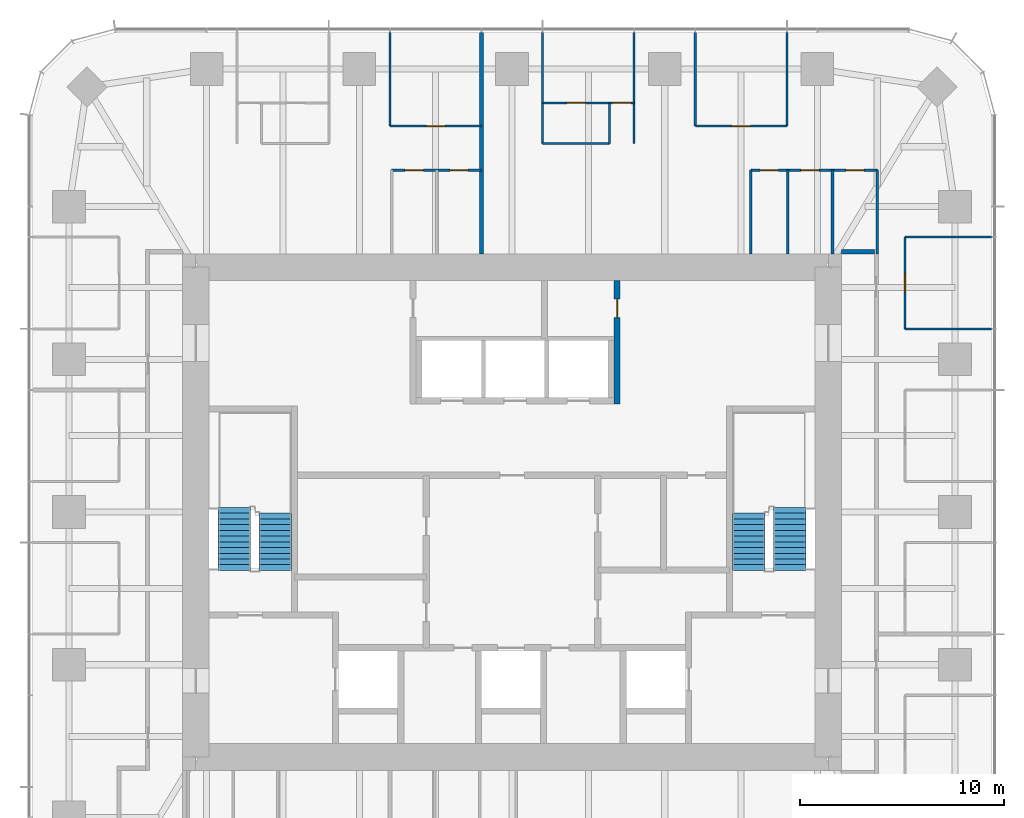
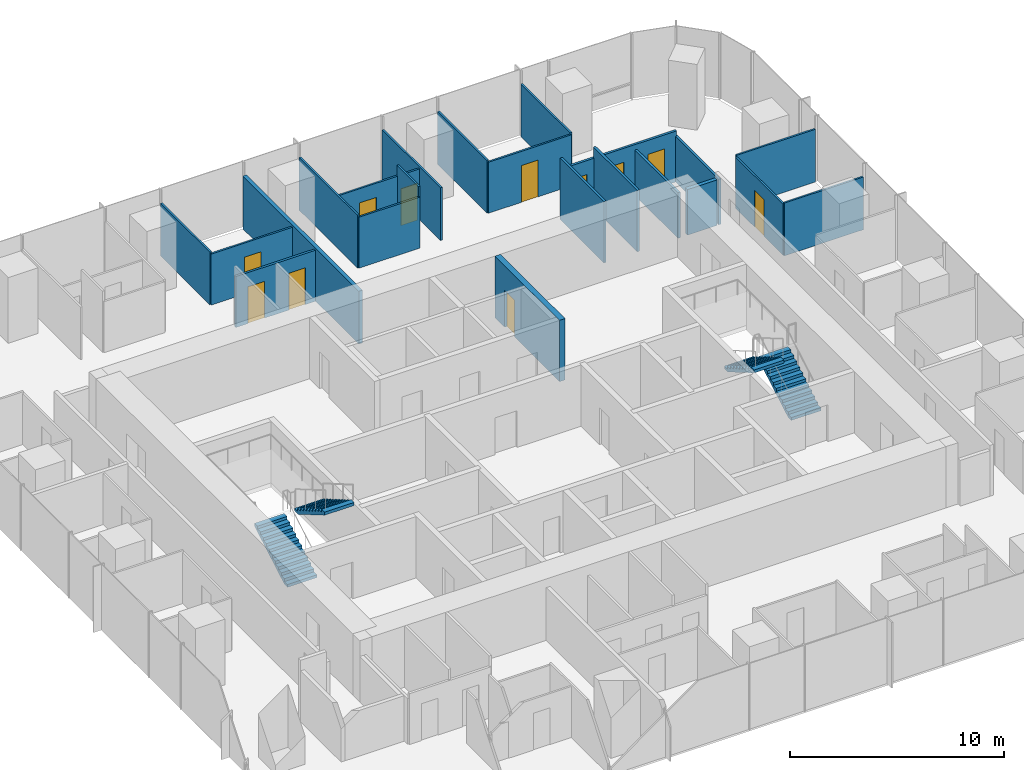
# One storey, part 11 of 12: 22 walls, 11 doors, 4 stair flights, 11 openings, 2 elements without a shape of their own.
"""IFC4 building model written with IfcOpenShell, lengths in metres."""

from ifc_helpers import new_model, si_unit, direction, frame, frame_2d, origin, place, context, subcontext, project, spatial, polyline, rectangle, outline, extrude, material, layer, layer_set, type_object, element, fill, aggregate, save


model = new_model("IFC4")

# Units and contexts
model_context = context("Model", 3, precision=1e-05, world=origin(), true_north=direction((0.0, 1.0)))
body_context = subcontext(model_context, "Body", "Model", "MODEL_VIEW")
ifc_project = project(units=[si_unit("LENGTHUNIT", "METRE"), si_unit("AREAUNIT", "SQUARE_METRE"), si_unit("VOLUMEUNIT", "CUBIC_METRE"), si_unit("PLANEANGLEUNIT", "RADIAN"), si_unit("MASSUNIT", "GRAM", prefix="KILO")], contexts=[model_context])

# Site, building, storey
site_placement = place(None, origin())
site = spatial("IfcSite", under=ifc_project, at=site_placement, CompositionType="ELEMENT")
building_placement = place(site_placement, origin())
building = spatial("IfcBuilding", under=site, at=building_placement, Name="Khuree Lantern Residences", CompositionType="ELEMENT")
storey_placement = place(building_placement, frame((0.0, 0.0, 308.25)))
storey = spatial("IfcBuildingStorey", under=building, at=storey_placement, Name="L77", CompositionType="ELEMENT", Elevation=308.25)

# Wall, openings, doors
ifc_material_1 = material(Name="Moisture-resistant gypsum board on steel studs", Category="steel")
ifc_layer_1 = layer(ifc_material_1, 0.125)
ifc_layer_set_1 = layer_set([ifc_layer_1], Name="BATHROOM WALL BTW125")
wall_type_1 = type_object("IfcWallType", Name="BATHROOM WALL BTW125", PredefinedType="PARTITIONING", material=ifc_layer_set_1)
wall_1_placement = place(storey_placement, frame((17.89990234375, 16.746337890625, 0.0), z_axis=(0.0, 0.0, 1.0), x_axis=(-1.0, 0.0, 0.0)))
wall_1 = element("IfcWall", 1, at=wall_1_placement, inside=storey, type_object=wall_type_1, Name="L77 BATHROOM WALL 01", PredefinedType="PARTITIONING", context=body_context, shape_type="SweptSolid", body=[
    extrude(rectangle(XDim=6.199951171875, YDim=0.125, at=frame_2d((3.10009765625, 0.0))), origin(), (0.0, 0.0, 1.0), 2.89990234375),
])
opening_1_placement = place(wall_1_placement, frame((0.64990234375, 0.0, 0.0)))
opening_1 = element("IfcOpeningElement", 2, at=opening_1_placement, cuts=wall_1, Name="Opening 77-029", PredefinedType="OPENING", context=body_context, shape_type="SweptSolid", body=[
    extrude(rectangle(XDim=0.89990234375, YDim=2.10009765625, at=frame_2d((0.449951171875, 1.050048828125))), frame((0.0, 0.072509765625, 0.0), z_axis=(0.0, -1.0, 0.0), x_axis=(1.0, 0.0, 0.0)), (0.0, 0.0, 1.0), 0.14501953125),
])
opening_2_placement = place(wall_1_placement, frame((2.85009765625, 0.0, 0.0)))
opening_2 = element("IfcOpeningElement", 3, at=opening_2_placement, cuts=wall_1, Name="Opening 77-030", PredefinedType="OPENING", context=body_context, shape_type="SweptSolid", body=[
    extrude(rectangle(XDim=0.89990234375, YDim=2.10009765625, at=frame_2d((0.449951171875, 1.050048828125))), frame((0.0, 0.072509765625, 0.0), z_axis=(0.0, -1.0, 0.0), x_axis=(1.0, 0.0, 0.0)), (0.0, 0.0, 1.0), 0.14501953125),
])
opening_3_placement = place(wall_1_placement, frame((4.85009765625, 0.0, 0.0)))
opening_3 = element("IfcOpeningElement", 4, at=opening_3_placement, cuts=wall_1, Name="Opening 77-031", PredefinedType="OPENING", context=body_context, shape_type="SweptSolid", body=[
    extrude(rectangle(XDim=0.89990234375, YDim=2.10009765625, at=frame_2d((0.449951171875, 1.050048828125))), frame((0.0, 0.072509765625, 0.0), z_axis=(0.0, -1.0, 0.0), x_axis=(1.0, 0.0, 0.0)), (0.0, 0.0, 1.0), 0.14501953125),
])
ifc_material_2 = material(Name="Timber door leaf in hardwood frame", Category="wood")
door_type_1 = type_object("IfcDoorType", Name="BATHROOM DOOR 900X2100", OperationType="SINGLE_SWING_LEFT", PredefinedType="DOOR", material=ifc_material_2)
door_1_placement = place(opening_1_placement, origin())
door_1 = element("IfcDoor", 5, at=door_1_placement, inside=storey, type_object=door_type_1, Name="Bathroom door 77-029", OperationType="SINGLE_SWING_LEFT", OverallHeight=2.10009765625, OverallWidth=0.89990234375, PredefinedType="DOOR", context=body_context, shape_type="SweptSolid", body=[
    extrude(rectangle(XDim=0.89990234375, YDim=2.10009765625, at=frame_2d((0.449951171875, 1.050048828125))), frame((0.0, 0.02490234375, 0.0), z_axis=(0.0, -1.0, 0.0), x_axis=(1.0, 0.0, 0.0)), (0.0, 0.0, 1.0), 0.050048828125),
])
fill(opening_1, door_1)
door_2_placement = place(opening_2_placement, origin())
door_2 = element("IfcDoor", 6, at=door_2_placement, inside=storey, type_object=door_type_1, Name="Bathroom door 77-030", OperationType="SINGLE_SWING_LEFT", OverallHeight=2.10009765625, OverallWidth=0.89990234375, PredefinedType="DOOR", context=body_context, shape_type="SweptSolid", body=[
    extrude(rectangle(XDim=0.89990234375, YDim=2.10009765625, at=frame_2d((0.449951171875, 1.050048828125))), frame((0.0, 0.02490234375, 0.0), z_axis=(0.0, -1.0, 0.0), x_axis=(1.0, 0.0, 0.0)), (0.0, 0.0, 1.0), 0.050048828125),
])
fill(opening_2, door_2)
door_type_2 = type_object("IfcDoorType", Name="DOOR 900X2100", OperationType="SINGLE_SWING_LEFT", PredefinedType="DOOR", material=ifc_material_2)
door_3_placement = place(opening_3_placement, origin())
door_3 = element("IfcDoor", 7, at=door_3_placement, inside=storey, type_object=door_type_2, Name="Store door 77-031", OperationType="SINGLE_SWING_LEFT", OverallHeight=2.10009765625, OverallWidth=0.89990234375, PredefinedType="DOOR", context=body_context, shape_type="SweptSolid", body=[
    extrude(rectangle(XDim=0.89990234375, YDim=2.10009765625, at=frame_2d((0.449951171875, 1.050048828125))), frame((0.0, 0.02490234375, 0.0), z_axis=(0.0, -1.0, 0.0), x_axis=(1.0, 0.0, 0.0)), (0.0, 0.0, 1.0), 0.050048828125),
])
fill(opening_3, door_3)

# Walls
for number, where, z_axis, x_axis, name in (
    (8, (17.89990234375, 12.64990234375, 0.0), (0.0, 0.0, 1.0), (0.0, 1.0, 0.0), "L77 BATHROOM WALL 01"),
    (9, (15.699951171875, 12.64990234375, 0.0), (0.0, 0.0, 1.0), (0.0, 1.0, 0.0), "L77 BATHROOM WALL 01"),
):
    element("IfcWall", number, at=place(storey_placement, frame(where, z_axis=z_axis, x_axis=x_axis)), inside=storey, type_object=wall_type_1, Name=name, PredefinedType="PARTITIONING", context=body_context, shape_type="SweptSolid", body=[
        extrude(rectangle(XDim=4.096435546875, YDim=0.125, at=frame_2d((2.04833984375, 0.0))), origin(), (0.0, 0.0, 1.0), 2.60009765625),
    ])
for number, where, z_axis, x_axis, name in (
    (10, (13.5, 12.64990234375, 0.0), (0.0, 0.0, 1.0), (0.0, 1.0, 0.0), "L77 BATHROOM WALL 01"),
    (11, (11.699951171875, 12.64990234375, 0.0), (0.0, 0.0, 1.0), (0.0, 1.0, 0.0), "L77 BATHROOM WALL 01"),
):
    element("IfcWall", number, at=place(storey_placement, frame(where, z_axis=z_axis, x_axis=x_axis)), inside=storey, type_object=wall_type_1, Name=name, PredefinedType="PARTITIONING", context=body_context, shape_type="SweptSolid", body=[
        extrude(rectangle(XDim=4.096435546875, YDim=0.125, at=frame_2d((2.04833984375, 0.0))), origin(), (0.0, 0.0, 1.0), 3.5),
    ])

# Wall, openings, doors
wall_2_placement = place(storey_placement, frame((-1.49609375, 16.746337890625, 0.0), z_axis=(0.0, 0.0, 1.0), x_axis=(-1.0, 0.0, 0.0)))
wall_2 = element("IfcWall", 12, at=wall_2_placement, inside=storey, type_object=wall_type_1, Name="L77 BATHROOM WALL 02", PredefinedType="PARTITIONING", context=body_context, shape_type="SweptSolid", body=[
    extrude(rectangle(XDim=4.39990234375, YDim=0.125, at=frame_2d((2.199951171875, 0.0))), origin(), (0.0, 0.0, 1.0), 2.909912109375),
])
opening_4_placement = place(wall_2_placement, frame((0.64990234375, 0.0, 0.0)))
opening_4 = element("IfcOpeningElement", 13, at=opening_4_placement, cuts=wall_2, Name="Opening 77-037", PredefinedType="OPENING", context=body_context, shape_type="SweptSolid", body=[
    extrude(rectangle(XDim=0.89990234375, YDim=2.10009765625, at=frame_2d((0.449951171875, 1.050048828125))), frame((0.0, 0.072509765625, 0.0), z_axis=(0.0, -1.0, 0.0), x_axis=(1.0, 0.0, 0.0)), (0.0, 0.0, 1.0), 0.14501953125),
])
opening_5_placement = place(wall_2_placement, frame((2.85009765625, 0.0, 0.0)))
opening_5 = element("IfcOpeningElement", 14, at=opening_5_placement, cuts=wall_2, Name="Opening 77-038", PredefinedType="OPENING", context=body_context, shape_type="SweptSolid", body=[
    extrude(rectangle(XDim=0.89990234375, YDim=2.10009765625, at=frame_2d((0.449951171875, 1.050048828125))), frame((0.0, 0.072509765625, 0.0), z_axis=(0.0, -1.0, 0.0), x_axis=(1.0, 0.0, 0.0)), (0.0, 0.0, 1.0), 0.14501953125),
])
door_4_placement = place(opening_4_placement, origin())
door_4 = element("IfcDoor", 15, at=door_4_placement, inside=storey, type_object=door_type_1, Name="Bathroom door 77-037", OperationType="SINGLE_SWING_LEFT", OverallHeight=2.10009765625, OverallWidth=0.89990234375, PredefinedType="DOOR", context=body_context, shape_type="SweptSolid", body=[
    extrude(rectangle(XDim=0.89990234375, YDim=2.10009765625, at=frame_2d((0.449951171875, 1.050048828125))), frame((0.0, 0.02490234375, 0.0), z_axis=(0.0, -1.0, 0.0), x_axis=(1.0, 0.0, 0.0)), (0.0, 0.0, 1.0), 0.050048828125),
])
fill(opening_4, door_4)
door_5_placement = place(opening_5_placement, origin())
door_5 = element("IfcDoor", 16, at=door_5_placement, inside=storey, type_object=door_type_1, Name="Bathroom door 77-038", OperationType="SINGLE_SWING_LEFT", OverallHeight=2.10009765625, OverallWidth=0.89990234375, PredefinedType="DOOR", context=body_context, shape_type="SweptSolid", body=[
    extrude(rectangle(XDim=0.89990234375, YDim=2.10009765625, at=frame_2d((0.449951171875, 1.050048828125))), frame((0.0, 0.02490234375, 0.0), z_axis=(0.0, -1.0, 0.0), x_axis=(1.0, 0.0, 0.0)), (0.0, 0.0, 1.0), 0.050048828125),
])
fill(opening_5, door_5)

# Wall, opening, door
ifc_material_3 = material(Name="Dense concrete blockwork", Category="masonry")
ifc_layer_2 = layer(ifc_material_3, 0.300048828125)
ifc_layer_set_2 = layer_set([ifc_layer_2], Name="CORE PARTITION WALL CPW300 EI 120")
wall_type_2 = type_object("IfcWallType", Name="CORE PARTITION WALL CPW300 EI 120", PredefinedType="PARTITIONING", material=ifc_layer_set_2)
wall_3_placement = place(storey_placement, frame((5.14990234375, 5.300048828125, 0.0), z_axis=(0.0, 0.0, 1.0), x_axis=(0.0, 1.0, 0.0)))
wall_3 = element("IfcWall", 17, at=wall_3_placement, inside=storey, type_object=wall_type_2, Name="L77 CORE WALL NE", PredefinedType="PARTITIONING", context=body_context, shape_type="SweptSolid", body=[
    extrude(rectangle(XDim=6.050048828125, YDim=0.300048828125, at=frame_2d((3.02490234375, 0.0))), origin(), (0.0, 0.0, 1.0), 3.5),
])
opening_6_placement = place(wall_3_placement, frame((4.22509765625, 0.0, 0.0)))
opening_6 = element("IfcOpeningElement", 18, at=opening_6_placement, cuts=wall_3, Name="Opening 77-022", PredefinedType="OPENING", context=body_context, shape_type="SweptSolid", body=[
    extrude(rectangle(XDim=0.89990234375, YDim=2.10009765625, at=frame_2d((0.449951171875, 1.050048828125))), frame((0.0, 0.16015625, 0.0), z_axis=(0.0, -1.0, 0.0), x_axis=(1.0, 0.0, 0.0)), (0.0, 0.0, 1.0), 0.320068359375),
])
door_6_placement = place(opening_6_placement, origin())
door_6 = element("IfcDoor", 19, at=door_6_placement, inside=storey, type_object=door_type_2, Name="Housekeeping store door 77-022", OperationType="SINGLE_SWING_LEFT", OverallHeight=2.10009765625, OverallWidth=0.89990234375, PredefinedType="DOOR", context=body_context, shape_type="SweptSolid", body=[
    extrude(rectangle(XDim=0.89990234375, YDim=2.10009765625, at=frame_2d((0.449951171875, 1.050048828125))), frame((0.0, 0.02490234375, 0.0), z_axis=(0.0, -1.0, 0.0), x_axis=(1.0, 0.0, 0.0)), (0.0, 0.0, 1.0), 0.050048828125),
])
fill(opening_6, door_6)

# Walls
ifc_material_4 = material(Name="Gypsum board on steel studs", Category="steel")
ifc_layer_3 = layer(ifc_material_4, 0.199951171875)
ifc_layer_set_3 = layer_set([ifc_layer_3], Name="CORRIDOR WALL CRW200 EI 60")
wall_type_3 = type_object("IfcWallType", Name="CORRIDOR WALL CRW200 EI 60", PredefinedType="PARTITIONING", material=ifc_layer_set_3)
wall_4_placement = place(storey_placement, frame((16.14990234375, 12.75, 0.0), z_axis=(0.0, 0.0, 1.0), x_axis=(1.0, 0.0, 0.0)))
element("IfcWall", 20, at=wall_4_placement, inside=storey, type_object=wall_type_3, Name="L77 EAST CORRIDOR NORTH END WALL", PredefinedType="PARTITIONING", context=body_context, shape_type="SweptSolid", body=[
    extrude(rectangle(XDim=1.60009765625, YDim=0.199951171875, at=frame_2d((0.800048828125, 0.0))), origin(), (0.0, 0.0, 1.0), 2.60009765625),
])
ifc_layer_4 = layer(ifc_material_4, 0.199951171875)
ifc_layer_set_4 = layer_set([ifc_layer_4], Name="DEMISING WALL DMW200 EI 90")
wall_type_4 = type_object("IfcWallType", Name="DEMISING WALL DMW200 EI 90", PredefinedType="PARTITIONING", material=ifc_layer_set_4)
wall_5_placement = place(storey_placement, frame((-1.49609375, 12.64990234375, 0.0), z_axis=(0.0, 0.0, 1.0), x_axis=(0.0, 1.0, 0.0)))
element("IfcWall", 21, at=wall_5_placement, inside=storey, type_object=wall_type_4, Name="L77 DEMISING WALL 02", PredefinedType="PARTITIONING", context=body_context, shape_type="SweptSolid", body=[
    extrude(rectangle(XDim=10.85009765625, YDim=0.199951171875, at=frame_2d((5.425048828125, 0.0))), origin(), (0.0, 0.0, 1.0), 3.010009765625),
])
ifc_layer_5 = layer(ifc_material_4, 0.10009765625)
ifc_layer_set_5 = layer_set([ifc_layer_5], Name="PARTITION PT100")
wall_type_5 = type_object("IfcWallType", Name="PARTITION PT100", PredefinedType="PARTITIONING", material=ifc_layer_set_5)
for number, where, z_axis, x_axis, name in (
    (22, (19.25, 8.97607421875, 0.0), (0.0, 0.0, 1.0), (1.0, 0.0, 0.0), "L77 PARTITION 01"),
    (23, (19.25, 13.464111328125, 0.0), (0.0, 0.0, 1.0), (1.0, 0.0, 0.0), "L77 PARTITION 01"),
):
    element("IfcWall", number, at=place(storey_placement, frame(where, z_axis=z_axis, x_axis=x_axis)), inside=storey, type_object=wall_type_5, Name=name, PredefinedType="PARTITIONING", context=body_context, shape_type="SweptSolid", body=[
        extrude(rectangle(XDim=4.25, YDim=0.10009765625, at=frame_2d((2.125, 0.0))), origin(), (0.0, 0.0, 1.0), 3.010009765625),
    ])
for number, where, z_axis, x_axis, name in (
    (24, (13.464111328125, 18.89990234375, 0.0), (0.0, 0.0, 1.0), (0.0, 1.0, 0.0), "L77 PARTITION 01"),
    (25, (8.97607421875, 18.89990234375, 0.0), (0.0, 0.0, 1.0), (0.0, 1.0, 0.0), "L77 PARTITION 01"),
):
    element("IfcWall", number, at=place(storey_placement, frame(where, z_axis=z_axis, x_axis=x_axis)), inside=storey, type_object=wall_type_5, Name=name, PredefinedType="PARTITIONING", context=body_context, shape_type="SweptSolid", body=[
        extrude(rectangle(XDim=4.60009765625, YDim=0.10009765625, at=frame_2d((2.300048828125, 0.0))), origin(), (0.0, 0.0, 1.0), 3.010009765625),
    ])
for number, where, z_axis, x_axis, name in (
    (26, (5.98388671875, 18.04638671875, 0.0), (0.0, 0.0, 1.0), (0.0, 1.0, 0.0), "L77 PARTITION 01"),
    (27, (1.49609375, 18.04638671875, 0.0), (0.0, 0.0, 1.0), (0.0, 1.0, 0.0), "L77 PARTITION 01"),
):
    element("IfcWall", number, at=place(storey_placement, frame(where, z_axis=z_axis, x_axis=x_axis)), inside=storey, type_object=wall_type_5, Name=name, PredefinedType="PARTITIONING", context=body_context, shape_type="SweptSolid", body=[
        extrude(rectangle(XDim=5.45361328125, YDim=0.10009765625, at=frame_2d((2.726806640625, 0.0))), origin(), (0.0, 0.0, 1.0), 3.010009765625),
    ])
wall_6_placement = place(storey_placement, frame((-5.98388671875, 18.89990234375, 0.0), z_axis=(0.0, 0.0, 1.0), x_axis=(0.0, 1.0, 0.0)))
element("IfcWall", 28, at=wall_6_placement, inside=storey, type_object=wall_type_5, Name="L77 PARTITION 02", PredefinedType="PARTITIONING", context=body_context, shape_type="SweptSolid", body=[
    extrude(rectangle(XDim=4.60009765625, YDim=0.10009765625, at=frame_2d((2.300048828125, 0.0))), origin(), (0.0, 0.0, 1.0), 3.010009765625),
])

# Wall, opening, door
wall_7_placement = place(storey_placement, frame((19.25, 8.97607421875, 0.0), z_axis=(0.0, 0.0, 1.0), x_axis=(0.0, 1.0, 0.0)))
wall_7 = element("IfcWall", 29, at=wall_7_placement, inside=storey, type_object=wall_type_5, Name="L77 PARTITION 01", PredefinedType="PARTITIONING", context=body_context, shape_type="SweptSolid", body=[
    extrude(rectangle(XDim=4.488037109375, YDim=0.10009765625, at=frame_2d((2.244140625, 0.0))), origin(), (0.0, 0.0, 1.0), 2.909912109375),
])
opening_7_placement = place(wall_7_placement, frame((1.7939453125, 0.0, 0.0)))
opening_7 = element("IfcOpeningElement", 30, at=opening_7_placement, cuts=wall_7, Name="Opening 77-025", PredefinedType="OPENING", context=body_context, shape_type="SweptSolid", body=[
    extrude(rectangle(XDim=0.89990234375, YDim=2.10009765625, at=frame_2d((0.449951171875, 1.050048828125))), frame((0.0, 0.06005859375, 0.0), z_axis=(0.0, -1.0, 0.0), x_axis=(1.0, 0.0, 0.0)), (0.0, 0.0, 1.0), 0.1201171875),
])
door_type_3 = type_object("IfcDoorType", Name="BEDROOM DOOR 900X2100", OperationType="SINGLE_SWING_LEFT", PredefinedType="DOOR", material=ifc_material_2)
door_7_placement = place(opening_7_placement, origin())
door_7 = element("IfcDoor", 31, at=door_7_placement, inside=storey, type_object=door_type_3, Name="Bedroom door 77-025", OperationType="SINGLE_SWING_LEFT", OverallHeight=2.10009765625, OverallWidth=0.89990234375, PredefinedType="DOOR", context=body_context, shape_type="SweptSolid", body=[
    extrude(rectangle(XDim=0.89990234375, YDim=2.10009765625, at=frame_2d((0.449951171875, 1.050048828125))), frame((0.0, 0.02490234375, 0.0), z_axis=(0.0, -1.0, 0.0), x_axis=(1.0, 0.0, 0.0)), (0.0, 0.0, 1.0), 0.050048828125),
])
fill(opening_7, door_7)

wall_8_placement = place(storey_placement, frame((13.464111328125, 18.89990234375, 0.0), z_axis=(0.0, 0.0, 1.0), x_axis=(-1.0, 0.0, 0.0)))
wall_8 = element("IfcWall", 32, at=wall_8_placement, inside=storey, type_object=wall_type_5, Name="L77 PARTITION 01", PredefinedType="PARTITIONING", context=body_context, shape_type="SweptSolid", body=[
    extrude(rectangle(XDim=4.488037109375, YDim=0.10009765625, at=frame_2d((2.244140625, 0.0))), origin(), (0.0, 0.0, 1.0), 2.909912109375),
])
opening_8_placement = place(wall_8_placement, frame((1.7939453125, 0.0, 0.0)))
opening_8 = element("IfcOpeningElement", 33, at=opening_8_placement, cuts=wall_8, Name="Opening 77-026", PredefinedType="OPENING", context=body_context, shape_type="SweptSolid", body=[
    extrude(rectangle(XDim=0.89990234375, YDim=2.10009765625, at=frame_2d((0.449951171875, 1.050048828125))), frame((0.0, 0.06005859375, 0.0), z_axis=(0.0, -1.0, 0.0), x_axis=(1.0, 0.0, 0.0)), (0.0, 0.0, 1.0), 0.1201171875),
])
door_8_placement = place(opening_8_placement, origin())
door_8 = element("IfcDoor", 34, at=door_8_placement, inside=storey, type_object=door_type_3, Name="Bedroom door 77-026", OperationType="SINGLE_SWING_LEFT", OverallHeight=2.10009765625, OverallWidth=0.89990234375, PredefinedType="DOOR", context=body_context, shape_type="SweptSolid", body=[
    extrude(rectangle(XDim=0.89990234375, YDim=2.10009765625, at=frame_2d((0.449951171875, 1.050048828125))), frame((0.0, 0.02490234375, 0.0), z_axis=(0.0, -1.0, 0.0), x_axis=(1.0, 0.0, 0.0)), (0.0, 0.0, 1.0), 0.050048828125),
])
fill(opening_8, door_8)

# Wall, openings, doors
wall_9_placement = place(storey_placement, frame((5.98388671875, 20.04638671875, 0.0), z_axis=(0.0, 0.0, 1.0), x_axis=(-1.0, 0.0, 0.0)))
wall_9 = element("IfcWall", 35, at=wall_9_placement, inside=storey, type_object=wall_type_5, Name="L77 PARTITION 01", PredefinedType="PARTITIONING", context=body_context, shape_type="SweptSolid", body=[
    extrude(rectangle(XDim=4.48779296875, YDim=0.10009765625, at=frame_2d((2.243896484375, 0.0))), origin(), (0.0, 0.0, 1.0), 2.909912109375),
])
opening_9_placement = place(wall_9_placement, frame((0.14990234375, 0.0, 0.0)))
opening_9 = element("IfcOpeningElement", 36, at=opening_9_placement, cuts=wall_9, Name="Opening 77-027", PredefinedType="OPENING", context=body_context, shape_type="SweptSolid", body=[
    extrude(rectangle(XDim=0.89990234375, YDim=2.10009765625, at=frame_2d((0.449951171875, 1.050048828125))), frame((0.0, 0.06005859375, 0.0), z_axis=(0.0, -1.0, 0.0), x_axis=(1.0, 0.0, 0.0)), (0.0, 0.0, 1.0), 0.1201171875),
])
opening_10_placement = place(wall_9_placement, frame((2.39404296875, 0.0, 0.0)))
opening_10 = element("IfcOpeningElement", 37, at=opening_10_placement, cuts=wall_9, Name="Opening 77-028", PredefinedType="OPENING", context=body_context, shape_type="SweptSolid", body=[
    extrude(rectangle(XDim=0.89990234375, YDim=2.10009765625, at=frame_2d((0.449951171875, 1.050048828125))), frame((0.0, 0.06005859375, 0.0), z_axis=(0.0, -1.0, 0.0), x_axis=(1.0, 0.0, 0.0)), (0.0, 0.0, 1.0), 0.1201171875),
])
door_9_placement = place(opening_9_placement, origin())
door_9 = element("IfcDoor", 38, at=door_9_placement, inside=storey, type_object=door_type_3, Name="Bedroom door 77-027", OperationType="SINGLE_SWING_LEFT", OverallHeight=2.10009765625, OverallWidth=0.89990234375, PredefinedType="DOOR", context=body_context, shape_type="SweptSolid", body=[
    extrude(rectangle(XDim=0.89990234375, YDim=2.10009765625, at=frame_2d((0.449951171875, 1.050048828125))), frame((0.0, 0.02490234375, 0.0), z_axis=(0.0, -1.0, 0.0), x_axis=(1.0, 0.0, 0.0)), (0.0, 0.0, 1.0), 0.050048828125),
])
fill(opening_9, door_9)
door_10_placement = place(opening_10_placement, origin())
door_10 = element("IfcDoor", 39, at=door_10_placement, inside=storey, type_object=door_type_2, Name="Wardrobe door 77-028", OperationType="SINGLE_SWING_LEFT", OverallHeight=2.10009765625, OverallWidth=0.89990234375, PredefinedType="DOOR", context=body_context, shape_type="SweptSolid", body=[
    extrude(rectangle(XDim=0.89990234375, YDim=2.10009765625, at=frame_2d((0.449951171875, 1.050048828125))), frame((0.0, 0.02490234375, 0.0), z_axis=(0.0, -1.0, 0.0), x_axis=(1.0, 0.0, 0.0)), (0.0, 0.0, 1.0), 0.050048828125),
])
fill(opening_10, door_10)

# Walls
wall_10_placement = place(storey_placement, frame((4.783935546875, 18.04638671875, 0.0), z_axis=(0.0, 0.0, 1.0), x_axis=(0.0, 1.0, 0.0)))
element("IfcWall", 40, at=wall_10_placement, inside=storey, type_object=wall_type_5, Name="L77 PARTITION 01", PredefinedType="PARTITIONING", context=body_context, shape_type="SweptSolid", body=[
    extrude(rectangle(XDim=2.0, YDim=0.10009765625, at=frame_2d((1.0, 0.0))), origin(), (0.0, 0.0, 1.0), 3.5),
])
wall_11_placement = place(storey_placement, frame((4.783935546875, 18.04638671875, 0.0), z_axis=(0.0, 0.0, 1.0), x_axis=(-1.0, 0.0, 0.0)))
element("IfcWall", 41, at=wall_11_placement, inside=storey, type_object=wall_type_5, Name="L77 PARTITION 01", PredefinedType="PARTITIONING", context=body_context, shape_type="SweptSolid", body=[
    extrude(rectangle(XDim=3.287841796875, YDim=0.10009765625, at=frame_2d((1.64404296875, 0.0))), origin(), (0.0, 0.0, 1.0), 2.909912109375),
])

# Wall, opening, door
wall_12_placement = place(storey_placement, frame((-1.49609375, 18.89990234375, 0.0), z_axis=(0.0, 0.0, 1.0), x_axis=(-1.0, 0.0, 0.0)))
wall_12 = element("IfcWall", 42, at=wall_12_placement, inside=storey, type_object=wall_type_5, Name="L77 PARTITION 02", PredefinedType="PARTITIONING", context=body_context, shape_type="SweptSolid", body=[
    extrude(rectangle(XDim=4.48779296875, YDim=0.10009765625, at=frame_2d((2.243896484375, 0.0))), origin(), (0.0, 0.0, 1.0), 2.909912109375),
])
opening_11_placement = place(wall_12_placement, frame((1.7939453125, 0.0, 0.0)))
opening_11 = element("IfcOpeningElement", 43, at=opening_11_placement, cuts=wall_12, Name="Opening 77-033", PredefinedType="OPENING", context=body_context, shape_type="SweptSolid", body=[
    extrude(rectangle(XDim=0.89990234375, YDim=2.10009765625, at=frame_2d((0.449951171875, 1.050048828125))), frame((0.0, 0.06005859375, 0.0), z_axis=(0.0, -1.0, 0.0), x_axis=(1.0, 0.0, 0.0)), (0.0, 0.0, 1.0), 0.1201171875),
])
door_11_placement = place(opening_11_placement, origin())
door_11 = element("IfcDoor", 44, at=door_11_placement, inside=storey, type_object=door_type_3, Name="Bedroom door 77-033", OperationType="SINGLE_SWING_LEFT", OverallHeight=2.10009765625, OverallWidth=0.89990234375, PredefinedType="DOOR", context=body_context, shape_type="SweptSolid", body=[
    extrude(rectangle(XDim=0.89990234375, YDim=2.10009765625, at=frame_2d((0.449951171875, 1.050048828125))), frame((0.0, 0.02490234375, 0.0), z_axis=(0.0, -1.0, 0.0), x_axis=(1.0, 0.0, 0.0)), (0.0, 0.0, 1.0), 0.050048828125),
])
fill(opening_11, door_11)

# Stair, stair flights
ifc_material_5 = material(Name="Concrete C40/50", Category="concrete")
stair_type = type_object("IfcStairType", Name="STAIR ST1 HALF TURN 3600", PredefinedType="HALF_TURN_STAIR", material=ifc_material_5)
stair_1_placement = place(storey_placement, origin())
stair_1 = element("IfcStair", 45, at=stair_1_placement, inside=storey, type_object=stair_type, Name="Stair ST1", PredefinedType="HALF_TURN_STAIR")
stair_flight_type = type_object("IfcStairFlightType", Name="STAIR FLIGHT SF1 1600", PredefinedType="STRAIGHT", material=ifc_material_5)
stair_flight_1_placement = place(storey_placement, frame((-13.60009765625, -2.860107421875, 0.0), z_axis=(0.0, 0.0, 1.0), x_axis=(0.0, 1.0, 0.0)))
stair_flight_1 = element("IfcStairFlight", 46, at=stair_flight_1_placement, type_object=stair_flight_type, Name="ST1 flight 1", NumberOfRisers=12, NumberOfTreads=11, PredefinedType="STRAIGHT", RiserHeight=0.163043478, TreadLength=0.28, context=body_context, shape_type="SweptSolid", body=[
    extrude(outline(polyline([(0.0, 0.0), (0.0, 0.1630859375), (0.280029296875, 0.1630859375), (0.280029296875, 0.326171875), (0.56005859375, 0.326171875), (0.56005859375, 0.489013671875), (0.840087890625, 0.489013671875), (0.840087890625, 0.652099609375), (1.1201171875, 0.652099609375), (1.1201171875, 0.815185546875), (1.39990234375, 0.815185546875), (1.39990234375, 0.978271484375), (1.679931640625, 0.978271484375), (1.679931640625, 1.141357421875), (1.9599609375, 1.141357421875), (1.9599609375, 1.304443359375), (2.239990234375, 1.304443359375), (2.239990234375, 1.46728515625), (2.52001953125, 1.46728515625), (2.52001953125, 1.63037109375), (2.800048828125, 1.63037109375), (2.800048828125, 1.79345703125), (3.080078125, 1.79345703125), (3.080078125, 1.95654296875), (3.080078125, 1.6201171875), (0.2978515625, 0.0), (0.0, 0.0)])), frame((0.0, 0.800048828125, 0.0), z_axis=(0.0, -1.0, 0.0), x_axis=(1.0, 0.0, 0.0)), (0.0, 0.0, 1.0), 1.60009765625),
])
stair_flight_2_placement = place(storey_placement, frame((-11.60009765625, -0.06005859375, 1.95654296875), z_axis=(0.0, 0.0, 1.0), x_axis=(0.0, -1.0, 0.0)))
stair_flight_2 = element("IfcStairFlight", 47, at=stair_flight_2_placement, type_object=stair_flight_type, Name="ST1 flight 2", NumberOfRisers=11, NumberOfTreads=10, PredefinedType="STRAIGHT", RiserHeight=0.163043478, TreadLength=0.28, context=body_context, shape_type="SweptSolid", body=[
    extrude(outline(polyline([(0.0, 0.0), (0.0, 0.1630859375), (0.280029296875, 0.1630859375), (0.280029296875, 0.326171875), (0.56005859375, 0.326171875), (0.56005859375, 0.489013671875), (0.840087890625, 0.489013671875), (0.840087890625, 0.652099609375), (1.1201171875, 0.652099609375), (1.1201171875, 0.815185546875), (1.39990234375, 0.815185546875), (1.39990234375, 0.978271484375), (1.679931640625, 0.978271484375), (1.679931640625, 1.141357421875), (1.9599609375, 1.141357421875), (1.9599609375, 1.304443359375), (2.239990234375, 1.304443359375), (2.239990234375, 1.46728515625), (2.52001953125, 1.46728515625), (2.52001953125, 1.63037109375), (2.800048828125, 1.63037109375), (2.800048828125, 1.79345703125), (2.800048828125, 1.45703125), (0.2978515625, 0.0), (0.0, 0.0)])), frame((0.0, 0.800048828125, 0.0), z_axis=(0.0, -1.0, 0.0), x_axis=(1.0, 0.0, 0.0)), (0.0, 0.0, 1.0), 1.60009765625),
])
aggregate(stair_1, [stair_flight_1, stair_flight_2])

stair_2_placement = place(storey_placement, origin())
stair_2 = element("IfcStair", 48, at=stair_2_placement, inside=storey, type_object=stair_type, Name="Stair ST2", PredefinedType="HALF_TURN_STAIR")
stair_flight_3_placement = place(storey_placement, frame((13.60009765625, -2.860107421875, 0.0), z_axis=(0.0, 0.0, 1.0), x_axis=(0.0, 1.0, 0.0)))
stair_flight_3 = element("IfcStairFlight", 49, at=stair_flight_3_placement, type_object=stair_flight_type, Name="ST2 flight 1", NumberOfRisers=12, NumberOfTreads=11, PredefinedType="STRAIGHT", RiserHeight=0.163043478, TreadLength=0.28, context=body_context, shape_type="SweptSolid", body=[
    extrude(outline(polyline([(0.0, 0.0), (0.0, 0.1630859375), (0.280029296875, 0.1630859375), (0.280029296875, 0.326171875), (0.56005859375, 0.326171875), (0.56005859375, 0.489013671875), (0.840087890625, 0.489013671875), (0.840087890625, 0.652099609375), (1.1201171875, 0.652099609375), (1.1201171875, 0.815185546875), (1.39990234375, 0.815185546875), (1.39990234375, 0.978271484375), (1.679931640625, 0.978271484375), (1.679931640625, 1.141357421875), (1.9599609375, 1.141357421875), (1.9599609375, 1.304443359375), (2.239990234375, 1.304443359375), (2.239990234375, 1.46728515625), (2.52001953125, 1.46728515625), (2.52001953125, 1.63037109375), (2.800048828125, 1.63037109375), (2.800048828125, 1.79345703125), (3.080078125, 1.79345703125), (3.080078125, 1.95654296875), (3.080078125, 1.6201171875), (0.2978515625, 0.0), (0.0, 0.0)])), frame((0.0, 0.800048828125, 0.0), z_axis=(0.0, -1.0, 0.0), x_axis=(1.0, 0.0, 0.0)), (0.0, 0.0, 1.0), 1.60009765625),
])
stair_flight_4_placement = place(storey_placement, frame((11.60009765625, -0.06005859375, 1.95654296875), z_axis=(0.0, 0.0, 1.0), x_axis=(0.0, -1.0, 0.0)))
stair_flight_4 = element("IfcStairFlight", 50, at=stair_flight_4_placement, type_object=stair_flight_type, Name="ST2 flight 2", NumberOfRisers=11, NumberOfTreads=10, PredefinedType="STRAIGHT", RiserHeight=0.163043478, TreadLength=0.28, context=body_context, shape_type="SweptSolid", body=[
    extrude(outline(polyline([(0.0, 0.0), (0.0, 0.1630859375), (0.280029296875, 0.1630859375), (0.280029296875, 0.326171875), (0.56005859375, 0.326171875), (0.56005859375, 0.489013671875), (0.840087890625, 0.489013671875), (0.840087890625, 0.652099609375), (1.1201171875, 0.652099609375), (1.1201171875, 0.815185546875), (1.39990234375, 0.815185546875), (1.39990234375, 0.978271484375), (1.679931640625, 0.978271484375), (1.679931640625, 1.141357421875), (1.9599609375, 1.141357421875), (1.9599609375, 1.304443359375), (2.239990234375, 1.304443359375), (2.239990234375, 1.46728515625), (2.52001953125, 1.46728515625), (2.52001953125, 1.63037109375), (2.800048828125, 1.63037109375), (2.800048828125, 1.79345703125), (2.800048828125, 1.45703125), (0.2978515625, 0.0), (0.0, 0.0)])), frame((0.0, 0.800048828125, 0.0), z_axis=(0.0, -1.0, 0.0), x_axis=(1.0, 0.0, 0.0)), (0.0, 0.0, 1.0), 1.60009765625),
])
aggregate(stair_2, [stair_flight_3, stair_flight_4])

save(model, "model.ifc")
